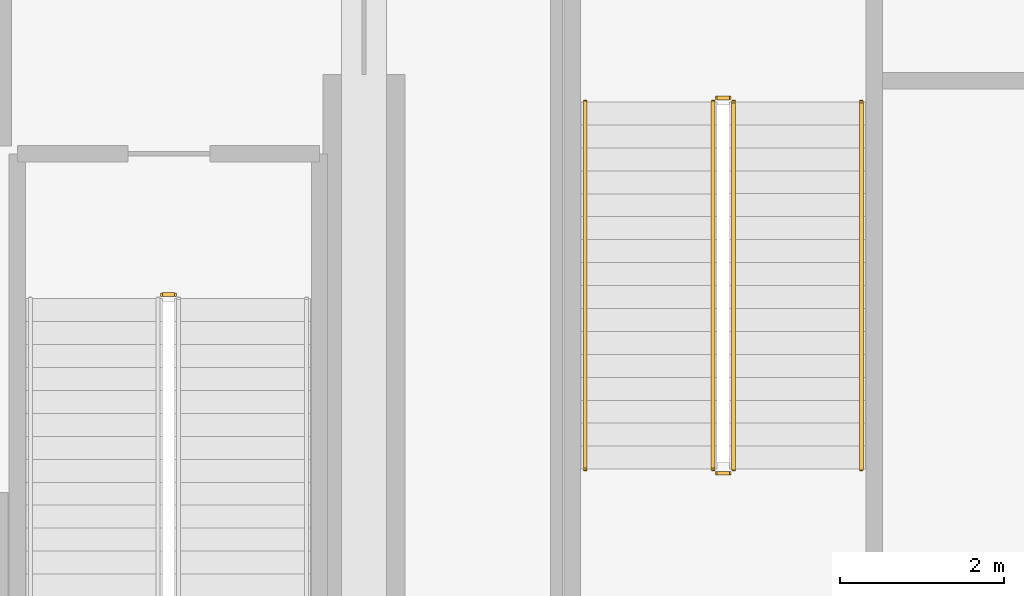
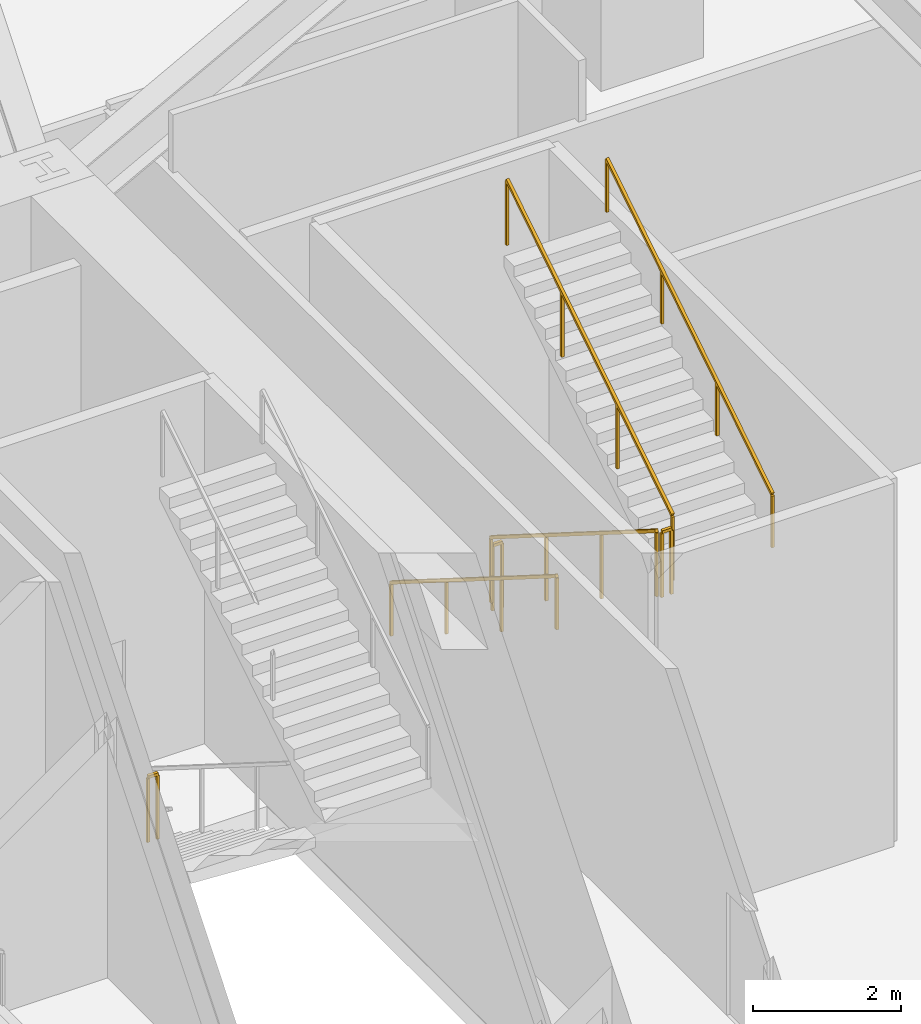
# One storey, part 33 of 35: 7 railings.
"""IFC4 building model written with IfcOpenShell, lengths in metres."""

from ifc_helpers import new_model, si_unit, direction, frame, origin, origin_2d, place, context, subcontext, project, spatial, rectangle, extrude, material, layer, layer_set, type_object, element, save


model = new_model("IFC4")

# Units and contexts
model_context = context("Model", 3, precision=1e-05, world=origin(), true_north=direction((0.0, 1.0)))
body_context = subcontext(model_context, "Body", "Model", "MODEL_VIEW")
ifc_project = project(units=[si_unit("LENGTHUNIT", "METRE"), si_unit("AREAUNIT", "SQUARE_METRE"), si_unit("VOLUMEUNIT", "CUBIC_METRE"), si_unit("PLANEANGLEUNIT", "RADIAN"), si_unit("MASSUNIT", "GRAM", prefix="KILO")], contexts=[model_context])

# Site, building, storey
site_placement = place(None, origin())
site = spatial("IfcSite", under=ifc_project, at=site_placement, CompositionType="ELEMENT")
building_placement = place(site_placement, origin())
building = spatial("IfcBuilding", under=site, at=building_placement, Name="Kilnhurst Terrace Hotel", CompositionType="ELEMENT")
storey_placement = place(building_placement, origin())
storey = spatial("IfcBuildingStorey", under=building, at=storey_placement, Name="L00", CompositionType="ELEMENT", Elevation=0.0)

# Railings
ifc_material_1 = material(Name="Powder-Coated Steel ASTM A500 Grade B", Category="steel")
ifc_layer_1 = layer(ifc_material_1, 0.050048828125, Name="Powder-Coated Steel ASTM A500 Grade B")
ifc_layer_set_1 = layer_set([ifc_layer_1], Name="Powder-Coated Steel ASTM A500 Grade B")
railing_type_1 = type_object("IfcRailingType", Name="RLG-ST-GRD-1100", PredefinedType="GUARDRAIL", material=ifc_layer_set_1)
railing_1_placement = place(storey_placement, frame((6.5400390625, 0.43994140625, 0.0)))
element("IfcRailing", 1, at=railing_1_placement, inside=storey, type_object=railing_type_1, Name="L00 ST-2 stair guard 4", PredefinedType="GUARDRAIL", context=body_context, shape_type="SweptSolid", body=[
    extrude(rectangle(XDim=0.048095703125, YDim=0.048095703125, at=origin_2d()), frame((0.0, 0.0, 1.076171875), z_axis=(1.0, 0.0, 0.0), x_axis=(0.0, 1.0, 0.0)), (0.0, 0.0, 1.0), 0.14990234375),
    extrude(rectangle(XDim=0.0419921875, YDim=0.0419921875, at=origin_2d()), origin(), (0.0, 0.0, 1.0), 1.052001953125),
    extrude(rectangle(XDim=0.0419921875, YDim=0.0419921875, at=origin_2d()), frame((0.14990234375, 0.0, 0.0)), (0.0, 0.0, 1.0), 1.052001953125),
])
railing_2_placement = place(storey_placement, frame((13.260009765625, 2.7900390625, 0.176513671875)))
element("IfcRailing", 2, at=railing_2_placement, inside=storey, type_object=railing_type_1, Name="L00 ST-4 stair guard 1", PredefinedType="GUARDRAIL", context=body_context, shape_type="SweptSolid", body=[
    extrude(rectangle(XDim=0.048095703125, YDim=0.048095703125, at=origin_2d()), frame((0.0, 0.0, 1.076171875), z_axis=(0.0, -0.845997938375, 0.533186166611), x_axis=(1.0, 0.0, 0.0)), (0.0, 0.0, 1.0), 5.29541015625),
    extrude(rectangle(XDim=0.0419921875, YDim=0.0419921875, at=origin_2d()), origin(), (0.0, 0.0, 1.0), 1.052001953125),
    extrude(rectangle(XDim=0.0419921875, YDim=0.0419921875, at=origin_2d()), frame((0.0, -1.493408203125, 0.941162109375)), (0.0, 0.0, 1.0), 1.052001953125),
    extrude(rectangle(XDim=0.0419921875, YDim=0.0419921875, at=origin_2d()), frame((0.0, -2.986572265625, 1.88232421875)), (0.0, 0.0, 1.0), 1.052001953125),
    extrude(rectangle(XDim=0.0419921875, YDim=0.0419921875, at=origin_2d()), frame((0.0, -4.47998046875, 2.823486328125)), (0.0, 0.0, 1.0), 1.052001953125),
])
railing_3_placement = place(storey_placement, frame((13.31005859375, -1.739990234375, 3.0)))
element("IfcRailing", 3, at=railing_3_placement, inside=storey, type_object=railing_type_1, Name="L00 ST-4 stair guard 2", PredefinedType="GUARDRAIL", context=body_context, shape_type="SweptSolid", body=[
    extrude(rectangle(XDim=0.048095703125, YDim=0.048095703125, at=origin_2d()), frame((0.0, 0.0, 1.076171875), z_axis=(1.0, 0.0, 0.0), x_axis=(0.0, 1.0, 0.0)), (0.0, 0.0, 1.0), 0.14990234375),
    extrude(rectangle(XDim=0.0419921875, YDim=0.0419921875, at=origin_2d()), origin(), (0.0, 0.0, 1.0), 1.052001953125),
    extrude(rectangle(XDim=0.0419921875, YDim=0.0419921875, at=origin_2d()), frame((0.14990234375, 0.0, 0.0)), (0.0, 0.0, 1.0), 1.052001953125),
])
railing_4_placement = place(storey_placement, frame((13.510009765625, -1.68994140625, 3.176513671875)))
element("IfcRailing", 4, at=railing_4_placement, inside=storey, type_object=railing_type_1, Name="L00 ST-4 stair guard 3", PredefinedType="GUARDRAIL", context=body_context, shape_type="SweptSolid", body=[
    extrude(rectangle(XDim=0.048095703125, YDim=0.048095703125, at=origin_2d()), frame((0.0, 0.0, 1.076171875), z_axis=(0.0, 0.845997938375, 0.533186166611), x_axis=(-1.0, 0.0, 0.0)), (0.0, 0.0, 1.0), 5.29541015625),
    extrude(rectangle(XDim=0.0419921875, YDim=0.0419921875, at=origin_2d()), origin(), (0.0, 0.0, 1.0), 1.052001953125),
    extrude(rectangle(XDim=0.0419921875, YDim=0.0419921875, at=origin_2d()), frame((0.0, 1.493408203125, 0.941162109375)), (0.0, 0.0, 1.0), 1.052001953125),
    extrude(rectangle(XDim=0.0419921875, YDim=0.0419921875, at=origin_2d()), frame((0.0, 2.986572265625, 1.88232421875)), (0.0, 0.0, 1.0), 1.052001953125),
    extrude(rectangle(XDim=0.0419921875, YDim=0.0419921875, at=origin_2d()), frame((0.0, 4.47998046875, 2.823486328125)), (0.0, 0.0, 1.0), 1.052001953125),
])
railing_5_placement = place(storey_placement, frame((13.31005859375, 2.840087890625, 0.0)))
element("IfcRailing", 5, at=railing_5_placement, inside=storey, type_object=railing_type_1, Name="L00 ST-4 stair guard 4", PredefinedType="GUARDRAIL", context=body_context, shape_type="SweptSolid", body=[
    extrude(rectangle(XDim=0.048095703125, YDim=0.048095703125, at=origin_2d()), frame((0.0, 0.0, 1.076171875), z_axis=(1.0, 0.0, 0.0), x_axis=(0.0, 1.0, 0.0)), (0.0, 0.0, 1.0), 0.14990234375),
    extrude(rectangle(XDim=0.0419921875, YDim=0.0419921875, at=origin_2d()), origin(), (0.0, 0.0, 1.0), 1.052001953125),
    extrude(rectangle(XDim=0.0419921875, YDim=0.0419921875, at=origin_2d()), frame((0.14990234375, 0.0, 0.0)), (0.0, 0.0, 1.0), 1.052001953125),
])
ifc_material_2 = material(Name="Brushed Stainless Steel AISI 304", Category="steel")
ifc_layer_2 = layer(ifc_material_2, 0.048095703125, Name="Brushed Stainless Steel AISI 304")
ifc_layer_set_2 = layer_set([ifc_layer_2], Name="Brushed Stainless Steel AISI 304")
railing_type_2 = type_object("IfcRailingType", Name="RLG-ST-HRL-900", PredefinedType="HANDRAIL", material=ifc_layer_set_2)
railing_6_placement = place(storey_placement, frame((11.699951171875, 2.7900390625, 0.176513671875)))
element("IfcRailing", 6, at=railing_6_placement, inside=storey, type_object=railing_type_2, Name="L00 ST-4 stair handrail 1", PredefinedType="HANDRAIL", context=body_context, shape_type="SweptSolid", body=[
    extrude(rectangle(XDim=0.048095703125, YDim=0.048095703125, at=origin_2d()), frame((0.0, 0.0, 0.8759765625), z_axis=(0.0, -0.845997938375, 0.533186166611), x_axis=(1.0, 0.0, 0.0)), (0.0, 0.0, 1.0), 5.29541015625),
    extrude(rectangle(XDim=0.0419921875, YDim=0.0419921875, at=origin_2d()), origin(), (0.0, 0.0, 1.0), 0.851806640625),
    extrude(rectangle(XDim=0.0419921875, YDim=0.0419921875, at=origin_2d()), frame((0.0, -1.493408203125, 0.941162109375)), (0.0, 0.0, 1.0), 0.851806640625),
    extrude(rectangle(XDim=0.0419921875, YDim=0.0419921875, at=origin_2d()), frame((0.0, -2.986572265625, 1.88232421875)), (0.0, 0.0, 1.0), 0.851806640625),
    extrude(rectangle(XDim=0.0419921875, YDim=0.0419921875, at=origin_2d()), frame((0.0, -4.47998046875, 2.823486328125)), (0.0, 0.0, 1.0), 0.851806640625),
])
railing_7_placement = place(storey_placement, frame((15.070068359375, -1.68994140625, 3.176513671875)))
element("IfcRailing", 7, at=railing_7_placement, inside=storey, type_object=railing_type_2, Name="L00 ST-4 stair handrail 2", PredefinedType="HANDRAIL", context=body_context, shape_type="SweptSolid", body=[
    extrude(rectangle(XDim=0.048095703125, YDim=0.048095703125, at=origin_2d()), frame((0.0, 0.0, 0.8759765625), z_axis=(0.0, 0.845997938375, 0.533186166611), x_axis=(-1.0, 0.0, 0.0)), (0.0, 0.0, 1.0), 5.29541015625),
    extrude(rectangle(XDim=0.0419921875, YDim=0.0419921875, at=origin_2d()), origin(), (0.0, 0.0, 1.0), 0.851806640625),
    extrude(rectangle(XDim=0.0419921875, YDim=0.0419921875, at=origin_2d()), frame((0.0, 1.493408203125, 0.941162109375)), (0.0, 0.0, 1.0), 0.851806640625),
    extrude(rectangle(XDim=0.0419921875, YDim=0.0419921875, at=origin_2d()), frame((0.0, 2.986572265625, 1.88232421875)), (0.0, 0.0, 1.0), 0.851806640625),
    extrude(rectangle(XDim=0.0419921875, YDim=0.0419921875, at=origin_2d()), frame((0.0, 4.47998046875, 2.823486328125)), (0.0, 0.0, 1.0), 0.851806640625),
])

save(model, "model.ifc")
